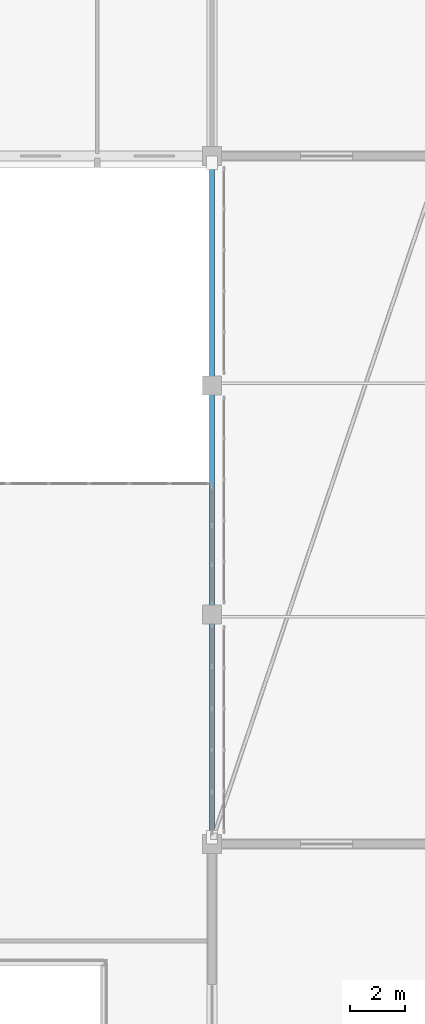
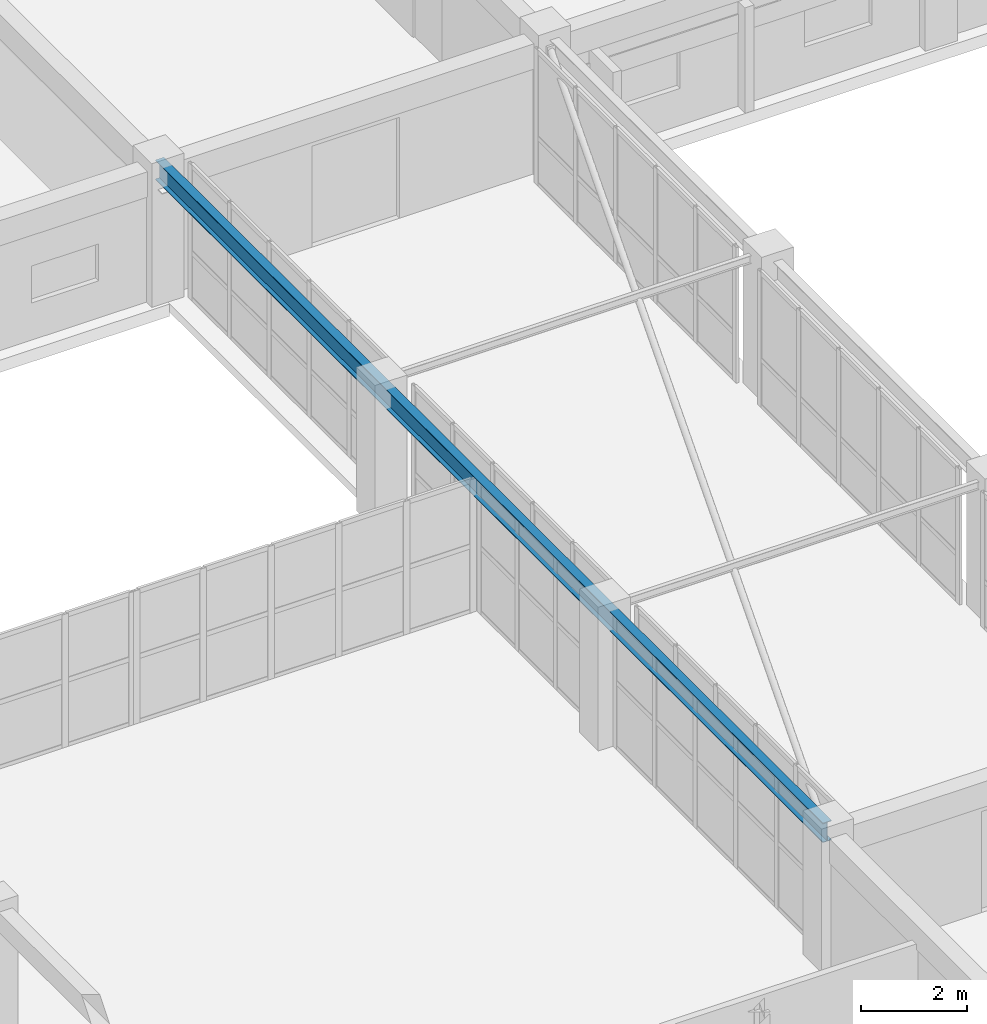
# One storey, part 67 of 148: 1 beam.
"""IFC4 building model written with IfcOpenShell, lengths in metres."""

from ifc_helpers import new_model, si_unit, direction, frame, origin, origin_2d, place, context, subcontext, project, spatial, i_section, extrude, material, material_profile, profile_set, type_object, element, save


model = new_model("IFC4")

# Units and contexts
model_context = context("Model", 3, precision=1e-05, world=origin(), true_north=direction((0.0, 1.0)))
body_context = subcontext(model_context, "Body", "Model", "MODEL_VIEW")
ifc_project = project(units=[si_unit("LENGTHUNIT", "METRE"), si_unit("AREAUNIT", "SQUARE_METRE"), si_unit("VOLUMEUNIT", "CUBIC_METRE"), si_unit("PLANEANGLEUNIT", "RADIAN"), si_unit("MASSUNIT", "GRAM", prefix="KILO")], contexts=[model_context])

# Site, building, storey
site_placement = place(None, origin())
site = spatial("IfcSite", under=ifc_project, at=site_placement, CompositionType="ELEMENT")
building_placement = place(site_placement, origin())
building = spatial("IfcBuilding", under=site, at=building_placement, Name="Trelvath General Hospital", CompositionType="ELEMENT")
storey_placement = place(building_placement, frame((0.0, 0.0, 12.89990234375)))
storey = spatial("IfcBuildingStorey", under=building, at=storey_placement, Name="L03", CompositionType="ELEMENT", Elevation=12.89990234375)

# Beam
ifc_material = material(Name="Steel S355", Category="steel")
ifc_material_profile = material_profile(ifc_material, i_section(OverallWidth=0.18994140625, OverallDepth=0.449951171875, WebThickness=0.009521484375, FlangeThickness=0.0146484375, at=origin_2d()), Name="IPE450")
ifc_profile_set = profile_set([ifc_material_profile], Name="Steel S355")
beam_type = type_object("IfcBeamType", Name="BridgeGirder IPE450", PredefinedType="BEAM", material=ifc_profile_set)
beam_placement = place(storey_placement, frame((75.60009765625, 67.239990234375, 2.885009765625), z_axis=(0.0, 1.0, 0.0), x_axis=(-1.0, 0.0, 0.0)))
element("IfcBeam", 1, at=beam_placement, inside=storey, type_object=beam_type, Name="Bridge Girder BRG-N-C W L04", PredefinedType="BEAM", context=body_context, shape_type="SweptSolid", body=[
    extrude(i_section(OverallWidth=0.18994140625, OverallDepth=0.449951171875, WebThickness=0.009521484375, FlangeThickness=0.0146484375, at=origin_2d()), origin(), (0.0, 0.0, 1.0), 25.1201171875),
])

save(model, "model.ifc")
